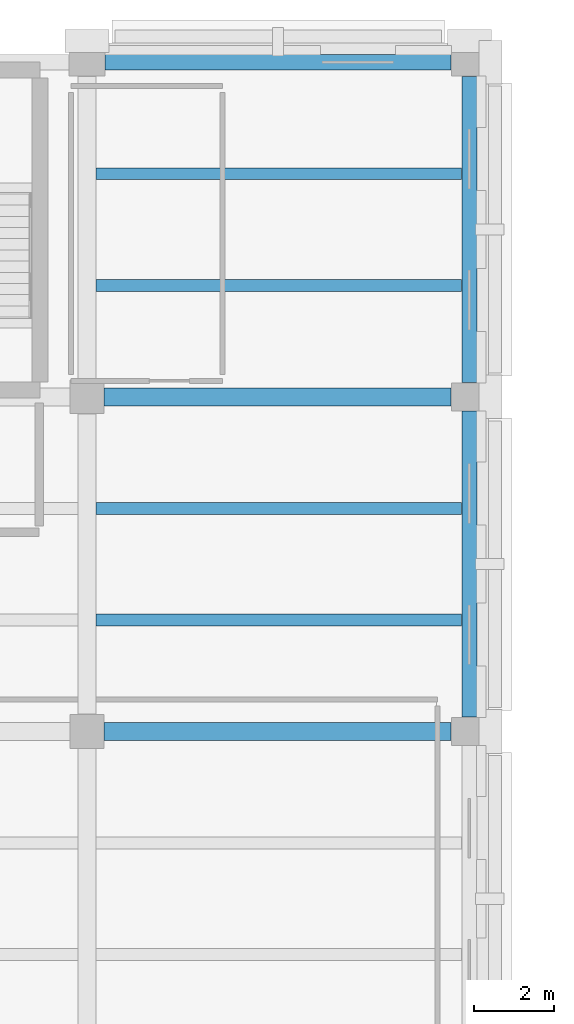
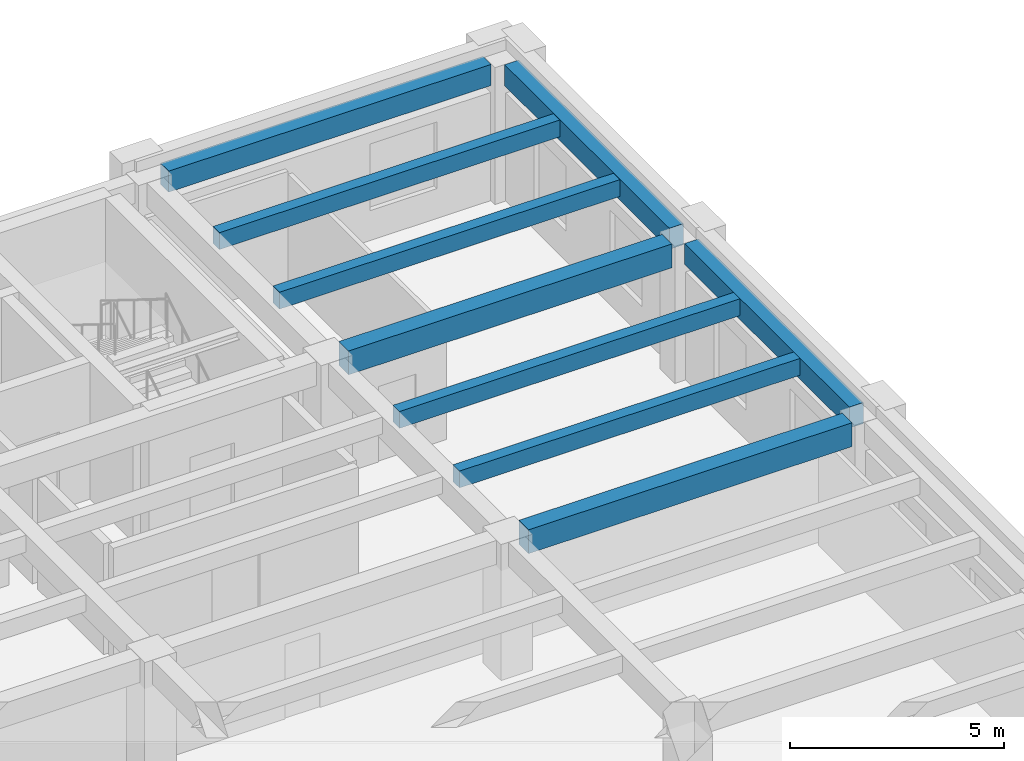
# One storey, part 32 of 71: 9 beams.
"""IFC4 building model written with IfcOpenShell, lengths in metres."""

from ifc_helpers import new_model, si_unit, direction, frame, origin, origin_2d, place, context, subcontext, project, spatial, rectangle, extrude, material, material_profile, profile_set, type_object, element, save


model = new_model("IFC4")

# Units and contexts
model_context = context("Model", 3, precision=1e-05, world=origin(), true_north=direction((0.0, 1.0)))
body_context = subcontext(model_context, "Body", "Model", "MODEL_VIEW")
ifc_project = project(units=[si_unit("LENGTHUNIT", "METRE"), si_unit("AREAUNIT", "SQUARE_METRE"), si_unit("VOLUMEUNIT", "CUBIC_METRE"), si_unit("PLANEANGLEUNIT", "RADIAN"), si_unit("MASSUNIT", "GRAM", prefix="KILO")], contexts=[model_context])

# Site, building, storey
site_placement = place(None, origin())
site = spatial("IfcSite", under=ifc_project, at=site_placement, CompositionType="ELEMENT")
building_placement = place(site_placement, origin())
building = spatial("IfcBuilding", under=site, at=building_placement, Name="Bempovik Park Faculty of Sciences", CompositionType="ELEMENT")
storey_placement = place(building_placement, frame((0.0, 0.0, 14.10009765625)))
storey = spatial("IfcBuildingStorey", under=building, at=storey_placement, Name="L03", CompositionType="ELEMENT", Elevation=14.10009765625)

# Beams
ifc_material = material(Name="Concrete C35/45", Category="concrete")
ifc_material_profile_1 = material_profile(ifc_material, rectangle(XDim=0.3798828125, YDim=0.60009765625, at=origin_2d()), Name="RC 380x600")
ifc_profile_set_1 = profile_set([ifc_material_profile_1], Name="Concrete C35/45")
beam_type_1 = type_object("IfcBeamType", Name="B-032 RC 380x600", PredefinedType="SPANDREL", material=ifc_profile_set_1)
beam_placement = place(storey_placement, frame((108.4560546875, 119.39990234375, 3.599853515625), z_axis=(1.0, 0.0, 0.0), x_axis=(0.0, 1.0, 0.0)))
element("IfcBeam", 1, at=beam_placement, inside=storey, type_object=beam_type_1, Name="L03 Beam X (108.0-117.6, y=119.4)", PredefinedType="SPANDREL", context=body_context, shape_type="SweptSolid", body=[
    extrude(rectangle(XDim=0.3798828125, YDim=0.60009765625, at=origin_2d()), origin(), (0.0, 0.0, 1.0), 8.68798828125),
])
for number, where, z_axis, x_axis, name in (
    (2, (117.60009765625, 102.9560546875, 3.599853515625), (0.0, 1.0, 0.0), (-1.0, 0.0, 0.0), "L03 Beam Y (x=117.6, 102.6-111.0)"),
    (3, (117.60009765625, 111.35595703125, 3.599853515625), (0.0, 1.0, 0.0), (-1.0, 0.0, 0.0), "L03 Beam Y (x=117.6, 111.0-119.4)"),
):
    element("IfcBeam", number, at=place(storey_placement, frame(where, z_axis=z_axis, x_axis=x_axis)), inside=storey, type_object=beam_type_1, Name=name, PredefinedType="SPANDREL", context=body_context, shape_type="SweptSolid", body=[
        extrude(rectangle(XDim=0.3798828125, YDim=0.60009765625, at=origin_2d()), origin(), (0.0, 0.0, 1.0), 7.68798828125),
    ])
ifc_material_profile_2 = material_profile(ifc_material, rectangle(XDim=0.300048828125, YDim=0.47998046875, at=origin_2d()), Name="RC 300x480")
ifc_profile_set_2 = profile_set([ifc_material_profile_2], Name="Concrete C35/45")
beam_type_2 = type_object("IfcBeamType", Name="B-039 RC 300x480", PredefinedType="JOIST", material=ifc_profile_set_2)
for number, where, z_axis, x_axis, name in (
    (4, (108.23095703125, 105.39990234375, 3.659912109375), (1.0, 0.0, 0.0), (0.0, 1.0, 0.0), "L03 Secondary Joist (108.0-117.6, y=105.40)"),
    (5, (108.23095703125, 108.199951171875, 3.659912109375), (1.0, 0.0, 0.0), (0.0, 1.0, 0.0), "L03 Secondary Joist (108.0-117.6, y=108.20)"),
    (6, (108.23095703125, 113.800048828125, 3.659912109375), (1.0, 0.0, 0.0), (0.0, 1.0, 0.0), "L03 Secondary Joist (108.0-117.6, y=113.80)"),
    (7, (108.23095703125, 116.60009765625, 3.659912109375), (1.0, 0.0, 0.0), (0.0, 1.0, 0.0), "L03 Secondary Joist (108.0-117.6, y=116.60)"),
):
    element("IfcBeam", number, at=place(storey_placement, frame(where, z_axis=z_axis, x_axis=x_axis)), inside=storey, type_object=beam_type_2, Name=name, PredefinedType="JOIST", context=body_context, shape_type="SweptSolid", body=[
        extrude(rectangle(XDim=0.300048828125, YDim=0.47998046875, at=origin_2d()), origin(), (0.0, 0.0, 1.0), 9.173095703125),
    ])
ifc_material_profile_3 = material_profile(ifc_material, rectangle(XDim=0.449951171875, YDim=0.679931640625, at=origin_2d()), Name="RC 450x680")
ifc_profile_set_3 = profile_set([ifc_material_profile_3], Name="Concrete C35/45")
beam_type_3 = type_object("IfcBeamType", Name="B-113 RC 450x680", PredefinedType="BEAM", material=ifc_profile_set_3)
for number, where, z_axis, x_axis, name in (
    (8, (108.430908203125, 102.60009765625, 3.559814453125), (1.0, 0.0, 0.0), (0.0, 1.0, 0.0), "L03 Beam X (108.0-117.6, y=102.6)"),
    (9, (108.430908203125, 111.0, 3.559814453125), (1.0, 0.0, 0.0), (0.0, 1.0, 0.0), "L03 Beam X (108.0-117.6, y=111.0)"),
):
    element("IfcBeam", number, at=place(storey_placement, frame(where, z_axis=z_axis, x_axis=x_axis)), inside=storey, type_object=beam_type_3, Name=name, PredefinedType="BEAM", context=body_context, shape_type="SweptSolid", body=[
        extrude(rectangle(XDim=0.449951171875, YDim=0.679931640625, at=origin_2d()), origin(), (0.0, 0.0, 1.0), 8.713134765625),
    ])

save(model, "model.ifc")
